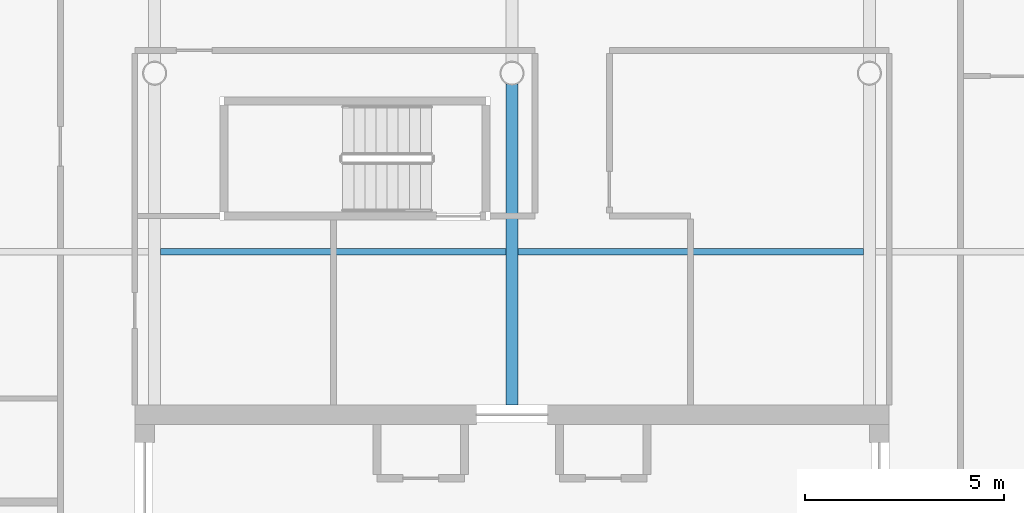
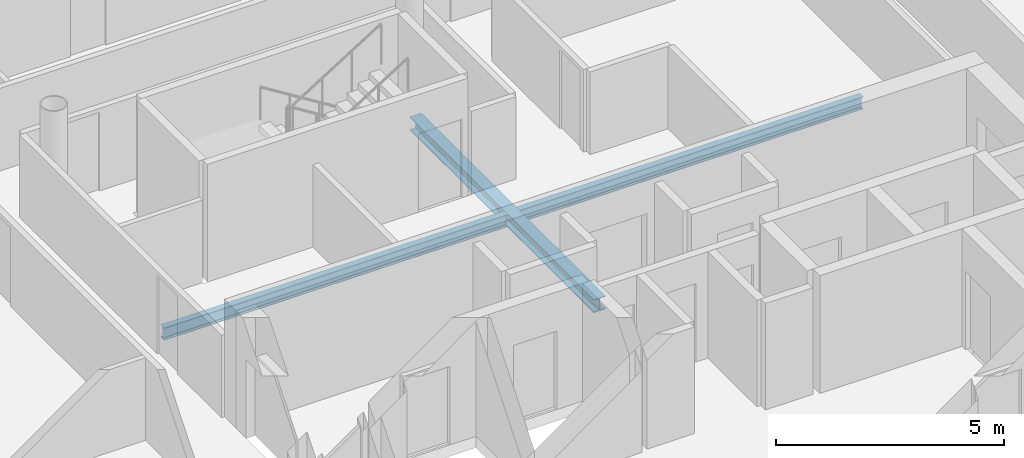
# One storey, part 7 of 20: 3 beams.
"""IFC4 building model written with IfcOpenShell, lengths in metres."""

from ifc_helpers import new_model, si_unit, direction, frame, origin, origin_2d, place, context, subcontext, project, spatial, i_section, extrude, material, material_profile, profile_set, type_object, element, save


model = new_model("IFC4")

# Units and contexts
model_context = context("Model", 3, precision=1e-05, world=origin(), true_north=direction((0.0, 1.0)))
body_context = subcontext(model_context, "Body", "Model", "MODEL_VIEW")
ifc_project = project(units=[si_unit("LENGTHUNIT", "METRE"), si_unit("AREAUNIT", "SQUARE_METRE"), si_unit("VOLUMEUNIT", "CUBIC_METRE"), si_unit("PLANEANGLEUNIT", "RADIAN"), si_unit("MASSUNIT", "GRAM", prefix="KILO")], contexts=[model_context])

# Site, building, storey
site_placement = place(None, origin())
site = spatial("IfcSite", under=ifc_project, at=site_placement, CompositionType="ELEMENT")
building_placement = place(site_placement, origin())
building = spatial("IfcBuilding", under=site, at=building_placement, Name="Tskaro Facet Tower", CompositionType="ELEMENT")
storey_placement = place(building_placement, frame((0.0, 0.0, 200.550048828125)))
storey = spatial("IfcBuildingStorey", under=building, at=storey_placement, Name="L51", CompositionType="ELEMENT", Elevation=200.550048828125)

# Beams
ifc_material = material(Name="Steel S355J2", Category="steel")
ifc_material_profile_1 = material_profile(ifc_material, i_section(OverallWidth=0.300048828125, OverallDepth=0.35009765625, WebThickness=0.010009765625, FlangeThickness=0.017578125, FilletRadius=0.027099609375, at=origin_2d()), Name="HE 360 A")
ifc_profile_set_1 = profile_set([ifc_material_profile_1], Name="Steel S355J2")
beam_type_1 = type_object("IfcBeamType", Name="HE 360 A girder", PredefinedType="BEAM", material=ifc_profile_set_1)
beam_placement = place(storey_placement, frame((0.0, 0.64990234375, -0.31494140625), z_axis=(0.0, 1.0, 0.0), x_axis=(-1.0, 0.0, 0.0)))
element("IfcBeam", 1, at=beam_placement, inside=storey, type_object=beam_type_1, Name="HE 360 A GB4-2-4", PredefinedType="BEAM", context=body_context, shape_type="SweptSolid", body=[
    extrude(i_section(OverallWidth=0.300048828125, OverallDepth=0.35009765625, WebThickness=0.010009765625, FlangeThickness=0.017578125, FilletRadius=0.027099609375, at=origin_2d()), origin(), (0.0, 0.0, 1.0), 8.0751953125),
])
ifc_material_profile_2 = material_profile(ifc_material, i_section(OverallWidth=0.159912109375, OverallDepth=0.330078125, WebThickness=0.007568359375, FlangeThickness=0.011474609375, FilletRadius=0.01806640625, at=origin_2d()), Name="IPE 330")
ifc_profile_set_2 = profile_set([ifc_material_profile_2], Name="Steel S355J2")
beam_type_2 = type_object("IfcBeamType", Name="IPE 330 secondary beam", PredefinedType="BEAM", material=ifc_profile_set_2)
for number, where, z_axis, x_axis, name in (
    (2, (-8.85009765625, 4.5, -0.304931640625), (1.0, 0.0, 0.0), (0.0, 1.0, 0.0), "IPE 330 SB4a-3-4"),
    (3, (0.14990234375, 4.5, -0.304931640625), (1.0, 0.0, 0.0), (0.0, 1.0, 0.0), "IPE 330 SB4a-4-4"),
):
    element("IfcBeam", number, at=place(storey_placement, frame(where, z_axis=z_axis, x_axis=x_axis)), inside=storey, type_object=beam_type_2, Name=name, PredefinedType="BEAM", context=body_context, shape_type="SweptSolid", body=[
        extrude(i_section(OverallWidth=0.159912109375, OverallDepth=0.330078125, WebThickness=0.007568359375, FlangeThickness=0.011474609375, FilletRadius=0.01806640625, at=origin_2d()), origin(), (0.0, 0.0, 1.0), 8.7001953125),
    ])

save(model, "model.ifc")
